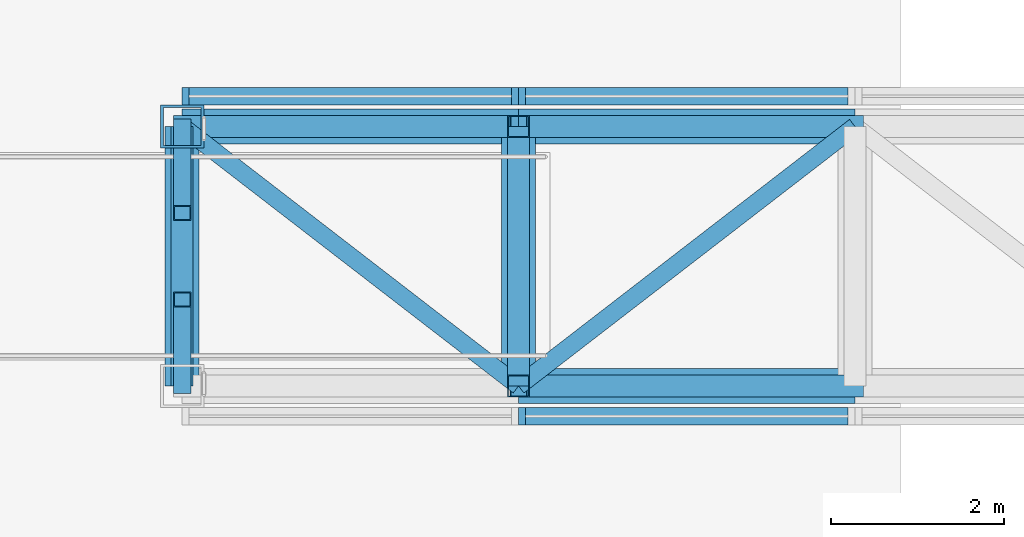
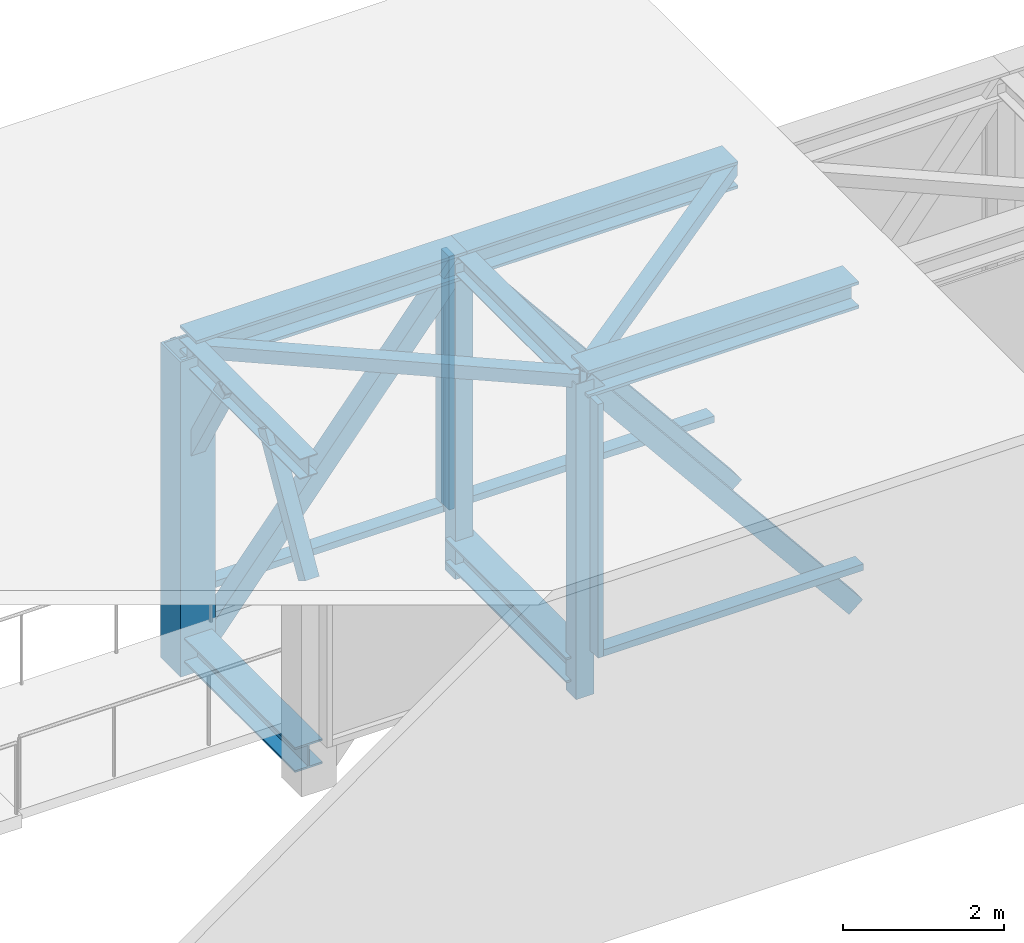
# One storey, part 6 of 23: 20 members, 4 beams, 3 elements without a shape of their own.
"""IFC4 building model written with IfcOpenShell, lengths in metres."""

import ifcopenshell
import ifcopenshell.guid

model = None  # the IFC model being written
_history = None  # IfcOwnerHistory: only IFC2X3 demands one
_inside = {}  # id of a spatial element -> (the spatial element, [elements in it])
_under = {}  # id of a project, library or spatial element -> (it, [spatial elements below it])
_declared = {}  # id of a project -> (the project, [libraries it declares])
_typed = {}  # id of a type object -> (the type object, [elements of that type])
_made_of = {}  # id of a material, layer set ... -> (it, [elements and type objects made of it])


def new_model(schema):
    """Start an empty IFC model of exactly this schema.

    Asked for "IFC4X3", IfcOpenShell would pick the latest addendum, in which some entities
    have other attributes; the version numbers below select the first issue.
    IFC2X3 requires an IfcOwnerHistory on every rooted entity: one is made here for all.
    """
    global model, _history
    if schema == "IFC4X3":
        model = ifcopenshell.file(schema_version=(4, 3, 0, 0))
    else:
        model = ifcopenshell.file(schema=schema)
    _inside.clear()
    _under.clear()
    _declared.clear()
    _typed.clear()
    _made_of.clear()
    _history = None
    if model.schema == "IFC2X3":
        org = make("IfcOrganization", Name="unknown")
        user = make(
            "IfcPersonAndOrganization",
            ThePerson=make("IfcPerson", FamilyName="unknown"),
            TheOrganization=org,
        )
        app = make(
            "IfcApplication",
            ApplicationDeveloper=org,
            Version="unknown",
            ApplicationFullName="unknown",
            ApplicationIdentifier="unknown",
        )
        _history = make(
            "IfcOwnerHistory",
            OwningUser=user,
            OwningApplication=app,
            ChangeAction="ADDED",
            CreationDate=0,
        )
    return model


def make(cls, **values):
    """One entity of the class cls with the attributes given. An attribute that is None is left unset."""
    return model.create_entity(
        cls, **{name: value for name, value in values.items() if value is not None}
    )


def rooted(cls, **values):
    """An entity with a GlobalId (a new one), such as an element, a storey or a relation."""
    return make(cls, GlobalId=ifcopenshell.guid.new(), OwnerHistory=_history, **values)


def si_unit(unit_type, name, prefix=None):
    """IfcSIUnit, for example si_unit("LENGTHUNIT", "METRE", prefix="MILLI")."""
    return make("IfcSIUnit", UnitType=unit_type, Prefix=prefix, Name=name)


def assignment(units):
    """IfcUnitAssignment: the units of a project."""
    return None if units is None else make("IfcUnitAssignment", Units=units)


def point(xyz):
    """IfcCartesianPoint."""
    return None if xyz is None else make("IfcCartesianPoint", Coordinates=xyz)


def direction(xyz):
    """IfcDirection."""
    return None if xyz is None else make("IfcDirection", DirectionRatios=xyz)


def frame(location, z_axis=None, x_axis=None):
    """IfcAxis2Placement3D, a coordinate frame: its origin and axes. An axis left out is left unset."""
    return make(
        "IfcAxis2Placement3D",
        Location=point(location),
        Axis=direction(z_axis),
        RefDirection=direction(x_axis),
    )


def frame_2d(location, x_axis=None):
    """IfcAxis2Placement2D, a coordinate frame in the plane: its origin and x axis."""
    return make(
        "IfcAxis2Placement2D", Location=point(location), RefDirection=direction(x_axis)
    )


def origin():
    """The frame at (0, 0, 0) with its axes left unset."""
    return frame((0.0, 0.0, 0.0))


def origin_2d():
    """The frame at (0, 0) in the plane with its x axis left unset."""
    return frame_2d((0.0, 0.0))


def place(relative_to, where):
    """IfcLocalPlacement: puts the frame where relative to a parent placement (None: the world)."""
    return make(
        "IfcLocalPlacement", PlacementRelTo=relative_to, RelativePlacement=where
    )


def context(
    kind, dimensions, precision=None, world=None, true_north=None, identifier=None
):
    """IfcGeometricRepresentationContext, for example the 3D "Model" context."""
    return make(
        "IfcGeometricRepresentationContext",
        ContextIdentifier=identifier,
        ContextType=kind,
        CoordinateSpaceDimension=dimensions,
        Precision=precision,
        WorldCoordinateSystem=world,
        TrueNorth=true_north,
    )


def subcontext(parent, identifier, kind, view, scale=None):
    """IfcGeometricRepresentationSubContext, for example "Body" below "Model"."""
    return make(
        "IfcGeometricRepresentationSubContext",
        ContextIdentifier=identifier,
        ContextType=kind,
        ParentContext=parent,
        TargetScale=scale,
        TargetView=view,
    )


def project(units=None, contexts=None):
    """IfcProject with its units and contexts."""
    return rooted(
        "IfcProject",
        Name="project",
        RepresentationContexts=contexts,
        UnitsInContext=assignment(units),
    )


def spatial(cls, under=None, at=None, **own):
    """A site, building, storey or space (cls), placed at a placement, below another one or the project."""
    s = rooted(cls, ObjectPlacement=at, **own)
    if under is not None:
        _under.setdefault(under.id(), (under, []))[1].append(s)
    return s


def profile(cls, at=None, kind="AREA", **sizes):
    """A parametric profile (cls). Its sizes go by their IFC names, for example OverallWidth=200.0."""
    return make(cls, ProfileType=kind, Position=at, **sizes)


def rectangle(**sizes):
    """IfcRectangleProfileDef."""
    return profile("IfcRectangleProfileDef", **sizes)


def hollow_rectangle(**sizes):
    """IfcRectangleHollowProfileDef."""
    return profile("IfcRectangleHollowProfileDef", **sizes)


def i_section(**sizes):
    """IfcIShapeProfileDef."""
    return profile("IfcIShapeProfileDef", **sizes)


def extrude(swept, where, along, depth):
    """IfcExtrudedAreaSolid: the profile swept, set in the frame where, extruded along a direction by depth."""
    return make(
        "IfcExtrudedAreaSolid",
        SweptArea=swept,
        Position=where,
        ExtrudedDirection=direction(along),
        Depth=depth,
    )


def shape(context_of_items, identifier, shape_type, items):
    """IfcShapeRepresentation: the items that make up one representation, for example the "Body"."""
    return make(
        "IfcShapeRepresentation",
        ContextOfItems=context_of_items,
        RepresentationIdentifier=identifier,
        RepresentationType=shape_type,
        Items=items,
    )


def material(Name=None, Category=None):
    """IfcMaterial."""
    return make("IfcMaterial", Name=Name, Category=Category)


def material_profile(
    of_material, cross_section, Name=None, Category=None, Priority=None
):
    """IfcMaterialProfile: a cross section and its material."""
    return make(
        "IfcMaterialProfile",
        Name=Name,
        Material=of_material,
        Profile=cross_section,
        Priority=Priority,
        Category=Category,
    )


def profile_set(profiles, Name=None, composite=None):
    """IfcMaterialProfileSet."""
    return make(
        "IfcMaterialProfileSet",
        Name=Name,
        MaterialProfiles=profiles,
        CompositeProfile=composite,
    )


def made_of(thing, what):
    """Note that an element or type object is made of a material, layer set ...; save() writes the relation."""
    if what is not None:
        _made_of.setdefault(what.id(), (what, []))[1].append(thing)
    return thing


def type_object(cls, material=None, **own):
    """A type object (cls), such as IfcWallType, which elements share."""
    return made_of(rooted(cls, **own), material)


def element(
    cls,
    number,
    at=None,
    inside=None,
    cuts=None,
    type_object=None,
    material=None,
    context=None,
    identifier="Body",
    shape_type=None,
    held_by="IfcProductDefinitionShape",
    body=None,
    shapes=None,
    **own,
):
    """One element of the class cls, such as IfcWall. Its Tag is "e" and its number.

    at: its placement. inside: the storey or other place that contains it. cuts: it is an
    opening in that element (IfcRelVoidsElement). A single representation is given by context,
    identifier, shape_type and body (its items); several are given by shapes. held_by: the class
    of the entity that holds the representations. save() writes the other relations.
    """
    e = rooted(cls, Tag="e%d" % number, ObjectPlacement=at, **own)
    if body is not None:
        shapes = [shape(context, identifier, shape_type, body)]
    if shapes is not None:
        e.Representation = make(held_by, Representations=shapes)
    if inside is not None:
        _inside.setdefault(inside.id(), (inside, []))[1].append(e)
    if cuts is not None:
        rooted(
            "IfcRelVoidsElement", RelatingBuildingElement=cuts, RelatedOpeningElement=e
        )
    if type_object is not None:
        _typed.setdefault(type_object.id(), (type_object, []))[1].append(e)
    return made_of(e, material)


def aggregate(whole, parts):
    """IfcRelAggregates: a whole, such as a stair, and the parts it consists of."""
    return rooted("IfcRelAggregates", RelatingObject=whole, RelatedObjects=parts)


def save(model, path):
    """Write the relations noted so far, then the file.

    IfcRelAggregates (storeys below a building ...), IfcRelContainedInSpatialStructure (elements
    in a storey), IfcRelDefinesByType, IfcRelAssociatesMaterial and IfcRelDeclares: one each for
    every whole, place, type object, material and project.
    """
    for whole, parts in _under.values():
        aggregate(whole, parts)
    for where, things in _inside.values():
        rooted(
            "IfcRelContainedInSpatialStructure",
            RelatedElements=things,
            RelatingStructure=where,
        )
    for kind, things in _typed.values():
        rooted("IfcRelDefinesByType", RelatedObjects=things, RelatingType=kind)
    for what, things in _made_of.values():
        rooted("IfcRelAssociatesMaterial", RelatedObjects=things, RelatingMaterial=what)
    for by, libraries in _declared.values():
        rooted("IfcRelDeclares", RelatingContext=by, RelatedDefinitions=libraries)
    model.write(path)


model = new_model("IFC4")

# Units and contexts
model_context = context("Model", 3, precision=1e-05, world=origin(), true_north=direction((0.0, 1.0)))
body_context = subcontext(model_context, "Body", "Model", "MODEL_VIEW")
ifc_project = project(units=[si_unit("LENGTHUNIT", "METRE"), si_unit("AREAUNIT", "SQUARE_METRE"), si_unit("VOLUMEUNIT", "CUBIC_METRE"), si_unit("PLANEANGLEUNIT", "RADIAN"), si_unit("MASSUNIT", "GRAM", prefix="KILO")], contexts=[model_context])

# Site, building, storey
site_placement = place(None, origin())
site = spatial("IfcSite", under=ifc_project, at=site_placement, CompositionType="ELEMENT")
building_placement = place(site_placement, origin())
building = spatial("IfcBuilding", under=site, at=building_placement, Name="Iwan Alto Co-Living Towers", CompositionType="ELEMENT")
storey_placement = place(building_placement, frame((0.0, 0.0, 129.5)))
storey = spatial("IfcBuildingStorey", under=building, at=storey_placement, Name="L35", CompositionType="ELEMENT", Elevation=129.5)

# Member
ifc_material_1 = material(Name="Steel ASTM A572 Gr 50", Category="steel")
ifc_material_profile_1 = material_profile(ifc_material_1, hollow_rectangle(XDim=0.5, YDim=0.5, WallThickness=0.031982421875, at=origin_2d()), Name="BOX 500X500X32")
ifc_profile_set_1 = profile_set([ifc_material_profile_1], Name="Steel ASTM A572 Gr 50")
member_type_1 = type_object("IfcMemberType", Name="BRIDGE END POST BOX 500X500X32", PredefinedType="POST", material=ifc_profile_set_1)
member_1_placement = place(storey_placement, frame((32.75, 1.5, -0.779052734375), z_axis=(0.0, 0.0, 1.0), x_axis=(1.0, 0.0, 0.0)))
element("IfcMember", 1, at=member_1_placement, inside=storey, type_object=member_type_1, Name="BR2 truss N end post 1", PredefinedType="POST", context=body_context, shape_type="SweptSolid", body=[
    extrude(hollow_rectangle(XDim=0.5, YDim=0.5, WallThickness=0.031982421875, at=origin_2d()), origin(), (0.0, 0.0, 1.0), 4.779052734375),
])

# Beams
ifc_material_2 = material(Name="Steel ASTM A992 Gr 50", Category="steel")
ifc_material_profile_2 = material_profile(ifc_material_2, i_section(OverallWidth=0.393798828125, OverallDepth=0.3759765625, WebThickness=0.017333984375, FlangeThickness=0.027587890625, at=origin_2d()), Name="W14X145")
ifc_profile_set_2 = profile_set([ifc_material_profile_2], Name="Steel ASTM A992 Gr 50")
beam_type_1 = type_object("IfcBeamType", Name="BRIDGE FLOOR BEAM W14X145", PredefinedType="BEAM", material=ifc_profile_set_2)
for number, where, z_axis, x_axis, name in (
    (2, (32.75, -1.5, -0.387939453125), (0.0, 1.0, 0.0), (-1.0, 0.0, 0.0), "BR2 floor beam 1"),
    (3, (36.637451171875, -1.5, -0.387939453125), (0.0, 1.0, 0.0), (-1.0, 0.0, 0.0), "BR2 floor beam 2"),
):
    element("IfcBeam", number, at=place(storey_placement, frame(where, z_axis=z_axis, x_axis=x_axis)), inside=storey, type_object=beam_type_1, Name=name, PredefinedType="BEAM", context=body_context, shape_type="SweptSolid", body=[
        extrude(i_section(OverallWidth=0.393798828125, OverallDepth=0.3759765625, WebThickness=0.017333984375, FlangeThickness=0.027587890625, at=origin_2d()), origin(), (0.0, 0.0, 1.0), 3.0),
    ])

# Members
ifc_material_3 = material(Name="Steel ASTM A500 Gr C", Category="steel")
ifc_material_profile_3 = material_profile(ifc_material_3, hollow_rectangle(XDim=0.203125, YDim=0.203125, WallThickness=0.01171875, at=origin_2d()), Name="HSS8X8X1/2")
ifc_profile_set_3 = profile_set([ifc_material_profile_3], Name="Steel ASTM A500 Gr C")
member_type_2 = type_object("IfcMemberType", Name="BRIDGE PORTAL KNEE BRACE HSS8X8X1/2", PredefinedType="BRACE", material=ifc_profile_set_3)
for number, where, z_axis, x_axis, name in (
    (4, (32.75, -1.5, 2.300048828125), (0.0, 0.50703094594, 0.861927850727), (-1.0, 0.0, 0.0), "BR2 end portal knee brace T1 S"),
    (5, (32.75, 1.5, 2.300048828125), (0.0, -0.50703094594, 0.861927850727), (1.0, 0.0, 0.0), "BR2 end portal knee brace T1 N"),
):
    element("IfcMember", number, at=place(storey_placement, frame(where, z_axis=z_axis, x_axis=x_axis)), inside=storey, type_object=member_type_2, Name=name, PredefinedType="BRACE", context=body_context, shape_type="SweptSolid", body=[
        extrude(hollow_rectangle(XDim=0.203125, YDim=0.203125, WallThickness=0.01171875, at=origin_2d()), origin(), (0.0, 0.0, 1.0), 1.97216796875),
    ])

# Beams
ifc_material_4 = material(Name="Steel ASTM A992 Gr 50", Category="steel")
ifc_material_profile_4 = material_profile(ifc_material_4, i_section(OverallWidth=0.25390625, OverallDepth=0.307373046875, WebThickness=0.0087890625, FlangeThickness=0.0146484375, at=origin_2d()), Name="W12X53")
ifc_profile_set_4 = profile_set([ifc_material_profile_4], Name="Steel ASTM A992 Gr 50")
beam_type_2 = type_object("IfcBeamType", Name="BRIDGE ROOF BEAM W12X53", PredefinedType="BEAM", material=ifc_profile_set_4)
for number, where, z_axis, x_axis, name in (
    (6, (32.75, -1.5, 4.0), (0.0, 1.0, 0.0), (-1.0, 0.0, 0.0), "BR2 roof beam 1"),
    (7, (36.637451171875, -1.5, 4.0), (0.0, 1.0, 0.0), (-1.0, 0.0, 0.0), "BR2 roof beam 2"),
):
    element("IfcBeam", number, at=place(storey_placement, frame(where, z_axis=z_axis, x_axis=x_axis)), inside=storey, type_object=beam_type_2, Name=name, PredefinedType="BEAM", context=body_context, shape_type="SweptSolid", body=[
        extrude(i_section(OverallWidth=0.25390625, OverallDepth=0.307373046875, WebThickness=0.0087890625, FlangeThickness=0.0146484375, at=origin_2d()), origin(), (0.0, 0.0, 1.0), 3.0),
    ])

# Members
ifc_material_5 = material(Name="Steel ASTM A500 Gr C", Category="steel")
ifc_material_profile_5 = material_profile(ifc_material_5, hollow_rectangle(XDim=0.203125, YDim=0.203125, WallThickness=0.01171875, at=origin_2d()), Name="HSS8X8X1/2")
ifc_profile_set_5 = profile_set([ifc_material_profile_5], Name="Steel ASTM A500 Gr C")
member_type_3 = type_object("IfcMemberType", Name="BRIDGE TOP LATERAL BRACE HSS8X8X1/2", PredefinedType="BRACE", material=ifc_profile_set_5)
for number, where, z_axis, x_axis, name in (
    (8, (32.75, 1.5, 4.0), (0.791673009044, -0.61094504397, 0.0), (0.61094504397, 0.791673009044, 0.0), "BR2 top lateral brace 1"),
    (9, (36.637451171875, -1.5, 4.0), (0.791673009044, 0.61094504397, 0.0), (-0.61094504397, 0.791673009044, 0.0), "BR2 top lateral brace 2"),
):
    element("IfcMember", number, at=place(storey_placement, frame(where, z_axis=z_axis, x_axis=x_axis)), inside=storey, type_object=member_type_3, Name=name, PredefinedType="BRACE", context=body_context, shape_type="SweptSolid", body=[
        extrude(hollow_rectangle(XDim=0.203125, YDim=0.203125, WallThickness=0.01171875, at=origin_2d()), origin(), (0.0, 0.0, 1.0), 4.910400390625),
    ])
ifc_material_6 = material(Name="Steel ASTM A992 Gr 50", Category="steel")
ifc_material_profile_6 = material_profile(ifc_material_6, i_section(OverallWidth=0.40380859375, OverallDepth=0.406494140625, WebThickness=0.027099609375, FlangeThickness=0.043701171875, at=origin_2d()), Name="W14X233")
ifc_profile_set_6 = profile_set([ifc_material_profile_6], Name="Steel ASTM A992 Gr 50")
member_type_4 = type_object("IfcMemberType", Name="BRIDGE TRUSS CHORD W14X233", PredefinedType="CHORD", material=ifc_profile_set_6)
for number, where, z_axis, x_axis, name in (
    (10, (36.637451171875, -1.5, 4.0), (1.0, 0.0, 0.0), (0.0, 1.0, 0.0), "BR2 truss S top chord 2"),
    (11, (32.75, 1.5, 4.0), (1.0, 0.0, 0.0), (0.0, 1.0, 0.0), "BR2 truss N top chord 1"),
    (12, (36.637451171875, 1.5, 4.0), (1.0, 0.0, 0.0), (0.0, 1.0, 0.0), "BR2 truss N top chord 2"),
):
    element("IfcMember", number, at=place(storey_placement, frame(where, z_axis=z_axis, x_axis=x_axis)), inside=storey, type_object=member_type_4, Name=name, PredefinedType="CHORD", context=body_context, shape_type="SweptSolid", body=[
        extrude(i_section(OverallWidth=0.40380859375, OverallDepth=0.406494140625, WebThickness=0.027099609375, FlangeThickness=0.043701171875, at=origin_2d()), origin(), (0.0, 0.0, 1.0), 3.887451171875),
    ])
ifc_material_7 = material(Name="Steel ASTM A500 Gr C", Category="steel")
ifc_material_profile_7 = material_profile(ifc_material_7, hollow_rectangle(XDim=0.25390625, YDim=0.25390625, WallThickness=0.01171875, at=origin_2d()), Name="HSS10X10X1/2")
ifc_profile_set_7 = profile_set([ifc_material_profile_7], Name="Steel ASTM A500 Gr C")
member_type_5 = type_object("IfcMemberType", Name="BRIDGE TRUSS VERTICAL HSS10X10X1/2", PredefinedType="POST", material=ifc_profile_set_7)
for number, where, z_axis, x_axis, name in (
    (13, (36.637451171875, -1.5, -0.779052734375), (0.0, 0.0, 1.0), (1.0, 0.0, 0.0), "BR2 truss S vertical 1"),
    (14, (36.637451171875, 1.5, -0.779052734375), (0.0, 0.0, 1.0), (1.0, 0.0, 0.0), "BR2 truss N vertical 1"),
):
    element("IfcMember", number, at=place(storey_placement, frame(where, z_axis=z_axis, x_axis=x_axis)), inside=storey, type_object=member_type_5, Name=name, PredefinedType="POST", context=body_context, shape_type="SweptSolid", body=[
        extrude(hollow_rectangle(XDim=0.25390625, YDim=0.25390625, WallThickness=0.01171875, at=origin_2d()), origin(), (0.0, 0.0, 1.0), 4.779052734375),
    ])
ifc_material_8 = material(Name="Steel ASTM A500 Gr C", Category="steel")
ifc_material_profile_8 = material_profile(ifc_material_8, hollow_rectangle(XDim=0.25390625, YDim=0.25390625, WallThickness=0.01171875, at=origin_2d()), Name="HSS10X10X1/2")
ifc_profile_set_8 = profile_set([ifc_material_profile_8], Name="Steel ASTM A500 Gr C")
member_type_6 = type_object("IfcMemberType", Name="BRIDGE TRUSS WEB HSS10X10X1/2", PredefinedType="BRACE", material=ifc_profile_set_8)
for number, where, z_axis, x_axis, name in (
    (15, (36.637451171875, -1.5, 4.0), (0.631029668096, 0.0, -0.775758698297), (0.0, 1.0, 0.0), "BR2 truss S diagonal 2"),
    (16, (32.75, 1.5, -0.779052734375), (0.631029668096, 0.0, 0.775758698297), (0.0, 1.0, 0.0), "BR2 truss N diagonal 1"),
    (17, (36.637451171875, 1.5, 4.0), (0.631029668096, 0.0, -0.775758698297), (0.0, 1.0, 0.0), "BR2 truss N diagonal 2"),
):
    element("IfcMember", number, at=place(storey_placement, frame(where, z_axis=z_axis, x_axis=x_axis)), inside=storey, type_object=member_type_6, Name=name, PredefinedType="BRACE", context=body_context, shape_type="SweptSolid", body=[
        extrude(hollow_rectangle(XDim=0.25390625, YDim=0.25390625, WallThickness=0.01171875, at=origin_2d()), origin(), (0.0, 0.0, 1.0), 6.160400390625),
    ])

# Curtain wall, member
ifc_material_9 = material(Name="Bronze aluminium stick frame", Category="aluminium")
curtain_wall_type = type_object("IfcCurtainWallType", Name="CURTAIN WALL CW-F", PredefinedType="NOTDEFINED", material=ifc_material_9)
curtain_wall_1_placement = place(storey_placement, origin())
curtain_wall_1 = element("IfcCurtainWall", 18, at=curtain_wall_1_placement, inside=storey, type_object=curtain_wall_type, Name="Skybridge BR2 glazing S 2", PredefinedType="NOTDEFINED")
ifc_material_10 = material(Name="Aluminium 6063-T6 bronze anodised", Category="aluminium")
ifc_material_profile_9 = material_profile(ifc_material_10, rectangle(XDim=0.199951171875, YDim=0.080078125, at=origin_2d()), Name="AL 80X200")
ifc_profile_set_9 = profile_set([ifc_material_profile_9], Name="Aluminium 6063-T6 bronze anodised")
member_type_7 = type_object("IfcMemberType", Name="CW-F MULLION 80X200", PredefinedType="MULLION", material=ifc_profile_set_9)
member_2_placement = place(storey_placement, frame((36.677490234375, -1.85009765625, 0.0), z_axis=(0.0, 0.0, 1.0), x_axis=(0.0, 1.0, 0.0)))
member_2 = element("IfcMember", 19, at=member_2_placement, type_object=member_type_7, Name="CW-F mullion 1", PredefinedType="MULLION", context=body_context, shape_type="SweptSolid", body=[
    extrude(rectangle(XDim=0.199951171875, YDim=0.080078125, at=origin_2d()), origin(), (0.0, 0.0, 1.0), 3.85009765625),
])

# Curtain wall, members
curtain_wall_2_placement = place(storey_placement, origin())
curtain_wall_2 = element("IfcCurtainWall", 20, at=curtain_wall_2_placement, inside=storey, type_object=curtain_wall_type, Name="Skybridge BR2 glazing N 1", PredefinedType="NOTDEFINED")
member_3_placement = place(storey_placement, frame((36.597412109375, 1.85009765625, 0.0), z_axis=(0.0, 0.0, 1.0), x_axis=(0.0, -1.0, 0.0)))
member_3 = element("IfcMember", 21, at=member_3_placement, type_object=member_type_7, Name="CW-F mullion 1", PredefinedType="MULLION", context=body_context, shape_type="SweptSolid", body=[
    extrude(rectangle(XDim=0.199951171875, YDim=0.080078125, at=origin_2d()), origin(), (0.0, 0.0, 1.0), 3.85009765625),
])
member_4_placement = place(storey_placement, frame((32.7900390625, 1.85009765625, 0.0), z_axis=(0.0, 0.0, 1.0), x_axis=(0.0, -1.0, 0.0)))
member_4 = element("IfcMember", 22, at=member_4_placement, type_object=member_type_7, Name="CW-F mullion 2", PredefinedType="MULLION", context=body_context, shape_type="SweptSolid", body=[
    extrude(rectangle(XDim=0.199951171875, YDim=0.080078125, at=origin_2d()), origin(), (0.0, 0.0, 1.0), 3.85009765625),
])

# Curtain wall, member
curtain_wall_3_placement = place(storey_placement, origin())
curtain_wall_3 = element("IfcCurtainWall", 23, at=curtain_wall_3_placement, inside=storey, type_object=curtain_wall_type, Name="Skybridge BR2 glazing N 2", PredefinedType="NOTDEFINED")
member_5_placement = place(storey_placement, frame((36.677490234375, 1.85009765625, 0.0), z_axis=(0.0, 0.0, 1.0), x_axis=(0.0, -1.0, 0.0)))
member_5 = element("IfcMember", 24, at=member_5_placement, type_object=member_type_7, Name="CW-F mullion 2", PredefinedType="MULLION", context=body_context, shape_type="SweptSolid", body=[
    extrude(rectangle(XDim=0.199951171875, YDim=0.080078125, at=origin_2d()), origin(), (0.0, 0.0, 1.0), 3.85009765625),
])

# Member
ifc_material_11 = material(Name="Aluminium 6063-T6 bronze anodised", Category="aluminium")
ifc_material_profile_10 = material_profile(ifc_material_11, rectangle(XDim=0.199951171875, YDim=0.10009765625, at=origin_2d()), Name="AL 200X100")
ifc_profile_set_10 = profile_set([ifc_material_profile_10], Name="Aluminium 6063-T6 bronze anodised")
member_type_8 = type_object("IfcMemberType", Name="CW-F TRANSOM 200X100", PredefinedType="USERDEFINED", material=ifc_profile_set_10)
member_6_placement = place(storey_placement, frame((36.717529296875, -1.85009765625, 0.050048828125), z_axis=(1.0, 0.0, 0.0), x_axis=(0.0, 1.0, 0.0)))
member_6 = element("IfcMember", 25, at=member_6_placement, type_object=member_type_8, Name="CW-F transom 1.1", ObjectType="TRANSOM", PredefinedType="USERDEFINED", context=body_context, shape_type="SweptSolid", body=[
    extrude(rectangle(XDim=0.199951171875, YDim=0.10009765625, at=origin_2d()), origin(), (0.0, 0.0, 1.0), 3.7275390625),
])

aggregate(curtain_wall_1, [member_2, member_6])

member_7_placement = place(storey_placement, frame((36.5576171875, 1.85009765625, 0.050048828125), z_axis=(-1.0, 0.0, 0.0), x_axis=(0.0, -1.0, 0.0)))
member_7 = element("IfcMember", 26, at=member_7_placement, type_object=member_type_8, Name="CW-F transom 1.1", ObjectType="TRANSOM", PredefinedType="USERDEFINED", context=body_context, shape_type="SweptSolid", body=[
    extrude(rectangle(XDim=0.199951171875, YDim=0.10009765625, at=origin_2d()), origin(), (0.0, 0.0, 1.0), 3.7275390625),
])

aggregate(curtain_wall_2, [member_3, member_4, member_7])

member_8_placement = place(storey_placement, frame((40.445068359375, 1.85009765625, 0.050048828125), z_axis=(-1.0, 0.0, 0.0), x_axis=(0.0, -1.0, 0.0)))
member_8 = element("IfcMember", 27, at=member_8_placement, type_object=member_type_8, Name="CW-F transom 1.1", ObjectType="TRANSOM", PredefinedType="USERDEFINED", context=body_context, shape_type="SweptSolid", body=[
    extrude(rectangle(XDim=0.199951171875, YDim=0.10009765625, at=origin_2d()), origin(), (0.0, 0.0, 1.0), 3.7275390625),
])

aggregate(curtain_wall_3, [member_5, member_8])

save(model, "model.ifc")
